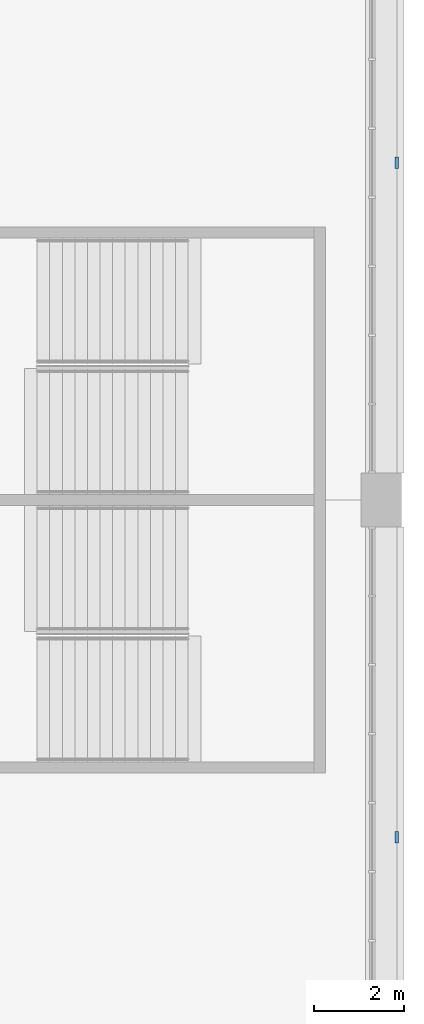
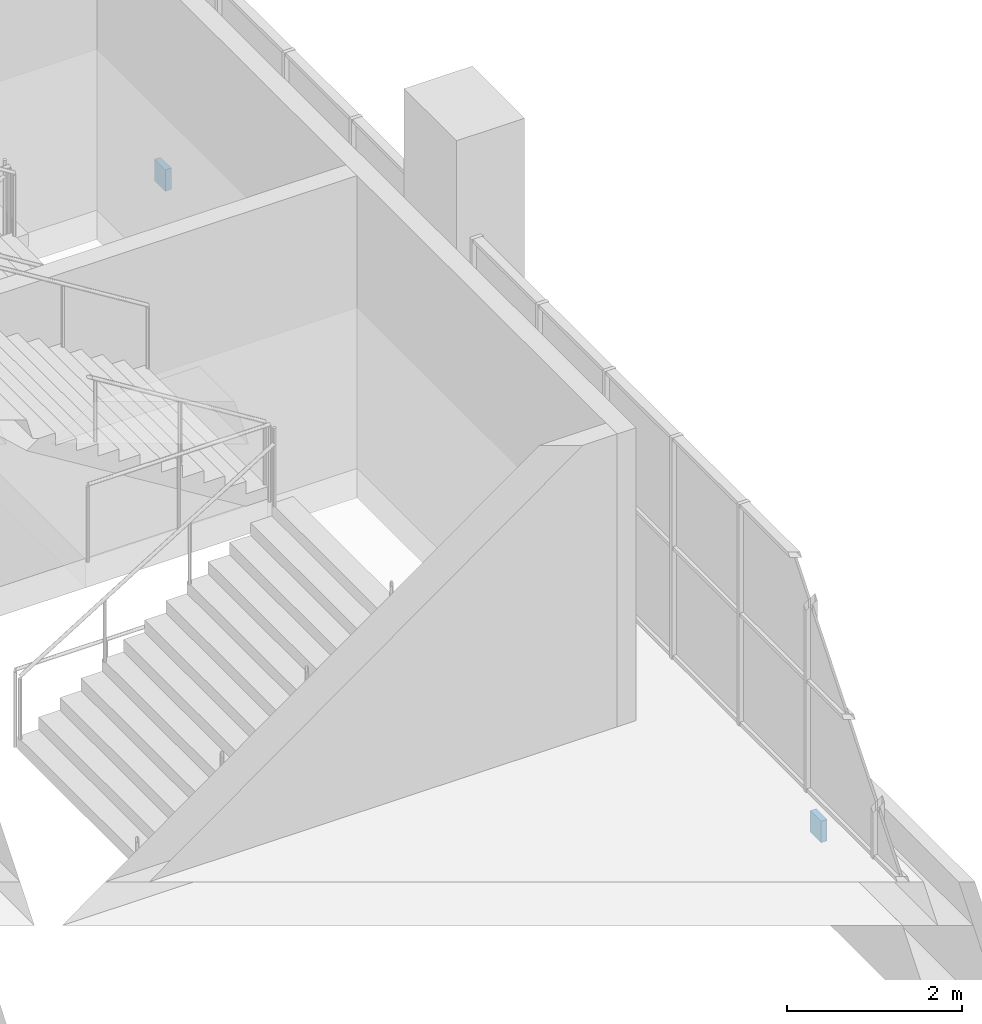
# One storey, part 95 of 199: 2 discrete accessories.
"""IFC4 building model written with IfcOpenShell, lengths in metres."""

from ifc_helpers import new_model, si_unit, direction, frame, origin, origin_2d, place, context, subcontext, project, spatial, rectangle, extrude, material, layer, layer_set, type_object, element, save


model = new_model("IFC4")

# Units and contexts
model_context = context("Model", 3, precision=1e-05, world=origin(), true_north=direction((0.0, 1.0)))
body_context = subcontext(model_context, "Body", "Model", "MODEL_VIEW")
ifc_project = project(units=[si_unit("LENGTHUNIT", "METRE"), si_unit("AREAUNIT", "SQUARE_METRE"), si_unit("VOLUMEUNIT", "CUBIC_METRE"), si_unit("PLANEANGLEUNIT", "RADIAN"), si_unit("MASSUNIT", "GRAM", prefix="KILO")], contexts=[model_context])

# Site, building, storey
site_placement = place(None, origin())
site = spatial("IfcSite", under=ifc_project, at=site_placement, CompositionType="ELEMENT")
building_placement = place(site_placement, origin())
building = spatial("IfcBuilding", under=site, at=building_placement, Name="Ogive Plaza Stadium", CompositionType="ELEMENT")
storey_placement = place(building_placement, frame((0.0, 0.0, 9.0)))
storey = spatial("IfcBuildingStorey", under=building, at=storey_placement, Name="L02", CompositionType="ELEMENT", Elevation=9.0)

# Discrete accessories
ifc_material = material(Name="Steel ASTM A572 Grade 50", Category="steel")
ifc_layer = layer(ifc_material, 0.080078125)
ifc_layer_set = layer_set([ifc_layer], Name="Steel ASTM A572 Grade 50")
discrete_accessory_type = type_object("IfcDiscreteAccessoryType", Name="Spandrel cladding bracket 250x300", PredefinedType="BRACKET", material=ifc_layer_set)
for number, where, z_axis, x_axis, name in (
    (1, (84.35009765625, 15.0, -1.31005859375), (0.0, 0.0, 1.0), (0.0, -1.0, 0.0), "SPANDREL BRACKET B03 L02"),
    (2, (84.35009765625, 0.0, -1.31005859375), (0.0, 0.0, 1.0), (0.0, -1.0, 0.0), "SPANDREL BRACKET B04 L02"),
):
    element("IfcDiscreteAccessory", number, at=place(storey_placement, frame(where, z_axis=z_axis, x_axis=x_axis)), inside=storey, type_object=discrete_accessory_type, Name=name, PredefinedType="BRACKET", context=body_context, shape_type="SweptSolid", body=[
        extrude(rectangle(XDim=0.25, YDim=0.080078125, at=origin_2d()), origin(), (0.0, 0.0, 1.0), 0.300048828125),
    ])

save(model, "model.ifc")
